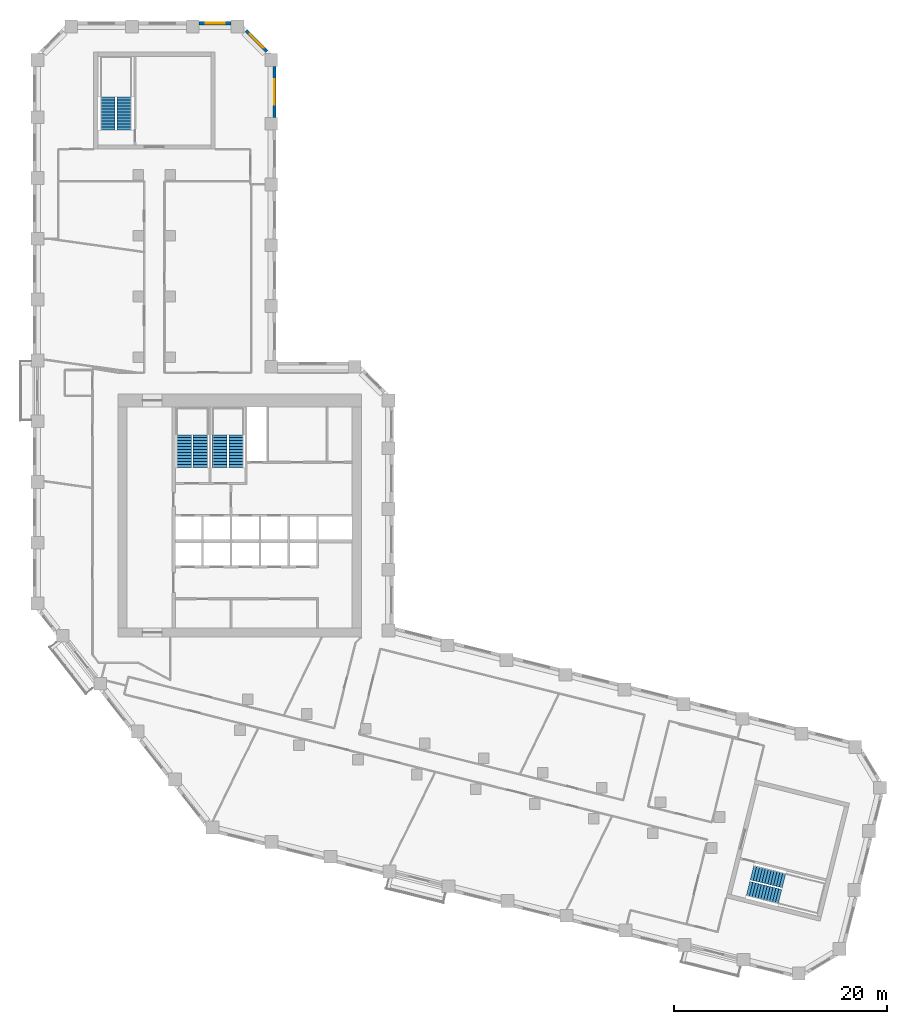
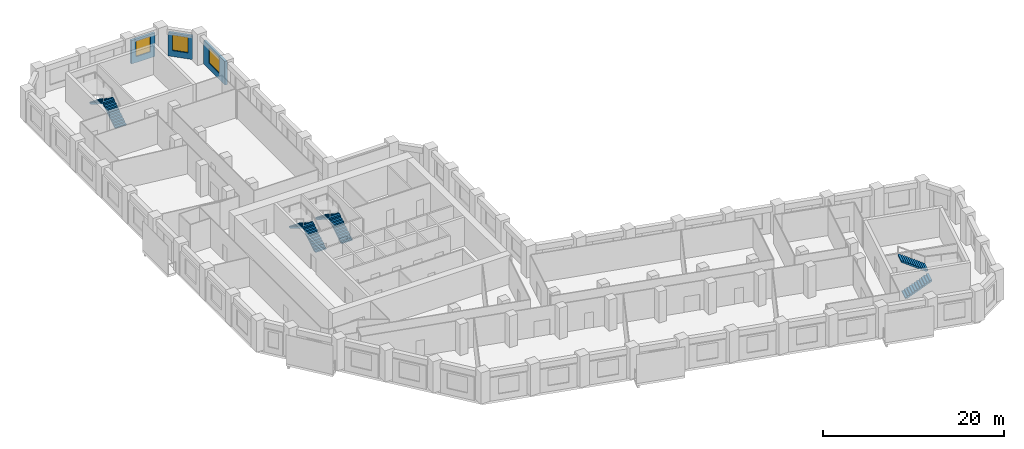
# One storey, part 9 of 10: 8 stair flights, 3 walls, 3 windows, 3 openings, 4 elements without a shape of their own.
"""IFC4 building model written with IfcOpenShell, lengths in metres."""

from ifc_helpers import new_model, si_unit, direction, frame, frame_2d, origin, place, context, subcontext, project, spatial, polyline, rectangle, outline, extrude, material, layer, layer_set, type_object, element, fill, aggregate, save


model = new_model("IFC4")

# Units and contexts
model_context = context("Model", 3, precision=1e-05, world=origin(), true_north=direction((0.0, 1.0)))
body_context = subcontext(model_context, "Body", "Model", "MODEL_VIEW")
ifc_project = project(units=[si_unit("LENGTHUNIT", "METRE"), si_unit("AREAUNIT", "SQUARE_METRE"), si_unit("VOLUMEUNIT", "CUBIC_METRE"), si_unit("PLANEANGLEUNIT", "RADIAN"), si_unit("MASSUNIT", "GRAM", prefix="KILO")], contexts=[model_context])

# Site, building, storey
site_placement = place(None, origin())
site = spatial("IfcSite", under=ifc_project, at=site_placement, CompositionType="ELEMENT")
building_placement = place(site_placement, origin())
building = spatial("IfcBuilding", under=site, at=building_placement, Name="Meshkara Civic Tower", CompositionType="ELEMENT")
storey_placement = place(building_placement, frame((0.0, 0.0, 190.800048828125)))
storey = spatial("IfcBuildingStorey", under=building, at=storey_placement, Name="L43", CompositionType="ELEMENT", Elevation=190.800048828125)

# Wall, opening, window
ifc_material_1 = material(Name="Insulated infill panel with bronze anodised aluminium cladding", Category="aluminium")
ifc_layer = layer(ifc_material_1, 0.300048828125)
ifc_layer_set = layer_set([ifc_layer], Name="EXTERNAL INFILL WALL 300")
wall_type = type_object("IfcWallType", Name="EXTERNAL INFILL WALL 300", PredefinedType="SOLIDWALL", material=ifc_layer_set)
wall_1_placement = place(storey_placement, frame((22.64990234375, 62.85009765625, 0.0), z_axis=(0.0, 0.0, 1.0), x_axis=(0.0, 1.0, 0.0)))
wall_1 = element("IfcWall", 1, at=wall_1_placement, inside=storey, type_object=wall_type, Name="External wall", PredefinedType="SOLIDWALL", context=body_context, shape_type="SweptSolid", body=[
    extrude(rectangle(XDim=4.763916015625, YDim=0.300048828125, at=frame_2d((2.3818359375, 0.0))), origin(), (0.0, 0.0, 1.0), 3.14990234375),
])
opening_1_placement = place(wall_1_placement, frame((1.181884765625, 0.0, 0.800048828125)))
opening_1 = element("IfcOpeningElement", 2, at=opening_1_placement, cuts=wall_1, Name="Opening W7", PredefinedType="OPENING", context=body_context, shape_type="SweptSolid", body=[
    extrude(rectangle(XDim=2.39990234375, YDim=2.10009765625, at=frame_2d((1.199951171875, 1.050048828125))), frame((0.0, 0.159912109375, 0.0), z_axis=(0.0, -1.0, 0.0), x_axis=(1.0, 0.0, 0.0)), (0.0, 0.0, 1.0), 0.320068359375),
])
ifc_material_2 = material(Name="Tinted double glazing", Category="glass")
window_type_1 = type_object("IfcWindowType", Name="WINDOW 2400x2100", PartitioningType="DOUBLE_PANEL_VERTICAL", PredefinedType="WINDOW", material=ifc_material_2)
window_1_placement = place(opening_1_placement, origin())
window_1 = element("IfcWindow", 3, at=window_1_placement, inside=storey, type_object=window_type_1, Name="Window", OverallHeight=2.10009765625, OverallWidth=2.39990234375, PartitioningType="DOUBLE_PANEL_VERTICAL", PredefinedType="WINDOW", context=body_context, shape_type="SweptSolid", body=[
    extrude(rectangle(XDim=2.39990234375, YDim=2.10009765625, at=frame_2d((1.199951171875, 1.050048828125))), frame((0.0, 0.030029296875, 0.0), z_axis=(0.0, -1.0, 0.0), x_axis=(1.0, 0.0, 0.0)), (0.0, 0.0, 1.0), 0.06005859375),
])
fill(opening_1, window_1)

wall_2_placement = place(storey_placement, frame((21.9619140625, 69.02587890625, 0.0), z_axis=(0.0, 0.0, 1.0), x_axis=(-0.707062649074, 0.707150910545, 0.0)))
wall_2 = element("IfcWall", 4, at=wall_2_placement, inside=storey, type_object=wall_type, Name="External wall", PredefinedType="SOLIDWALL", context=body_context, shape_type="SweptSolid", body=[
    extrude(rectangle(XDim=2.76611328125, YDim=0.300048828125, at=frame_2d((1.383056640625, 0.0))), origin(), (0.0, 0.0, 1.0), 3.14990234375),
])
opening_2_placement = place(wall_2_placement, frame((0.48291015625, 0.0, 0.800048828125)))
opening_2 = element("IfcOpeningElement", 5, at=opening_2_placement, cuts=wall_2, Name="Opening W9", PredefinedType="OPENING", context=body_context, shape_type="SweptSolid", body=[
    extrude(rectangle(XDim=1.800048828125, YDim=2.10009765625, at=frame_2d((0.89990234375, 1.050048828125))), frame((0.0, 0.159912109375, 0.0), z_axis=(0.0, -1.0, 0.0), x_axis=(1.0, 0.0, 0.0)), (0.0, 0.0, 1.0), 0.320068359375),
])
ifc_material_3 = material(Name="Tinted double glazing", Category="glass")
window_type_2 = type_object("IfcWindowType", Name="WINDOW 1800x2100", PartitioningType="DOUBLE_PANEL_VERTICAL", PredefinedType="WINDOW", material=ifc_material_3)
window_2_placement = place(opening_2_placement, origin())
window_2 = element("IfcWindow", 6, at=window_2_placement, inside=storey, type_object=window_type_2, Name="Window", OverallHeight=2.10009765625, OverallWidth=1.800048828125, PartitioningType="DOUBLE_PANEL_VERTICAL", PredefinedType="WINDOW", context=body_context, shape_type="SweptSolid", body=[
    extrude(rectangle(XDim=1.800048828125, YDim=2.10009765625, at=frame_2d((0.89990234375, 1.050048828125))), frame((0.0, 0.030029296875, 0.0), z_axis=(0.0, -1.0, 0.0), x_axis=(1.0, 0.0, 0.0)), (0.0, 0.0, 1.0), 0.06005859375),
])
fill(opening_2, window_2)

wall_3_placement = place(storey_placement, frame((18.593994140625, 71.669921875, 0.0), z_axis=(0.0, 0.0, 1.0), x_axis=(-1.0, 0.0, 0.0)))
wall_3 = element("IfcWall", 7, at=wall_3_placement, inside=storey, type_object=wall_type, Name="External wall", PredefinedType="SOLIDWALL", context=body_context, shape_type="SweptSolid", body=[
    extrude(rectangle(XDim=2.988037109375, YDim=0.300048828125, at=frame_2d((1.494140625, 0.0))), origin(), (0.0, 0.0, 1.0), 3.14990234375),
])
opening_3_placement = place(wall_3_placement, frame((0.593994140625, 0.0, 0.800048828125)))
opening_3 = element("IfcOpeningElement", 8, at=opening_3_placement, cuts=wall_3, Name="Opening W9", PredefinedType="OPENING", context=body_context, shape_type="SweptSolid", body=[
    extrude(rectangle(XDim=1.800048828125, YDim=2.10009765625, at=frame_2d((0.89990234375, 1.050048828125))), frame((0.0, 0.159912109375, 0.0), z_axis=(0.0, -1.0, 0.0), x_axis=(1.0, 0.0, 0.0)), (0.0, 0.0, 1.0), 0.320068359375),
])
window_3_placement = place(opening_3_placement, origin())
window_3 = element("IfcWindow", 9, at=window_3_placement, inside=storey, type_object=window_type_2, Name="Window", OverallHeight=2.10009765625, OverallWidth=1.800048828125, PartitioningType="DOUBLE_PANEL_VERTICAL", PredefinedType="WINDOW", context=body_context, shape_type="SweptSolid", body=[
    extrude(rectangle(XDim=1.800048828125, YDim=2.10009765625, at=frame_2d((0.89990234375, 1.050048828125))), frame((0.0, 0.030029296875, 0.0), z_axis=(0.0, -1.0, 0.0), x_axis=(1.0, 0.0, 0.0)), (0.0, 0.0, 1.0), 0.06005859375),
])
fill(opening_3, window_3)

# Stair, stair flights
ifc_material_4 = material(Name="Precast concrete C40/50", Category="concrete")
stair_type = type_object("IfcStairType", Name="Exit stair half-turn 24 risers precast", PredefinedType="HALF_TURN_STAIR", material=ifc_material_4)
stair_1_placement = place(storey_placement, origin())
stair_1 = element("IfcStair", 10, at=stair_1_placement, inside=storey, type_object=stair_type, Name="L43 exit stair 1", PredefinedType="HALF_TURN_STAIR")
ifc_material_5 = material(Name="Precast concrete C40/50", Category="concrete")
stair_flight_type = type_object("IfcStairFlightType", Name="Exit stair flight 12 risers precast", PredefinedType="STRAIGHT", material=ifc_material_5)
stair_flight_1_placement = place(storey_placement, frame((15.72509765625, 30.0, 0.0), z_axis=(0.0, 0.0, 1.0), x_axis=(0.0, 1.0, 0.0)))
stair_flight_1 = element("IfcStairFlight", 11, at=stair_flight_1_placement, type_object=stair_flight_type, Name="ST1 flight 1", NumberOfRisers=12, NumberOfTreads=11, PredefinedType="STRAIGHT", RiserHeight=0.175, TreadLength=0.28, context=body_context, shape_type="SweptSolid", body=[
    extrude(outline(polyline([(0.0, 0.0), (0.0, 0.175048828125), (0.280029296875, 0.175048828125), (0.280029296875, 0.35009765625), (0.56005859375, 0.35009765625), (0.56005859375, 0.52490234375), (0.840087890625, 0.52490234375), (0.840087890625, 0.699951171875), (1.1201171875, 0.699951171875), (1.1201171875, 0.875), (1.39990234375, 0.875), (1.39990234375, 1.050048828125), (1.679931640625, 1.050048828125), (1.679931640625, 1.22509765625), (1.9599609375, 1.22509765625), (1.9599609375, 1.39990234375), (2.239990234375, 1.39990234375), (2.239990234375, 1.574951171875), (2.52001953125, 1.574951171875), (2.52001953125, 1.75), (2.800048828125, 1.75), (2.800048828125, 1.925048828125), (3.080078125, 1.925048828125), (3.080078125, 2.10009765625), (3.080078125, 1.748291015625), (0.28271484375, 0.0), (0.0, 0.0)])), frame((0.0, 0.699951171875, 0.0), z_axis=(0.0, -1.0, 0.0), x_axis=(1.0, 0.0, 0.0)), (0.0, 0.0, 1.0), 1.39990234375),
])
stair_flight_2_placement = place(storey_placement, frame((14.175048828125, 33.080078125, 2.099853515625), z_axis=(0.0, 0.0, 1.0), x_axis=(0.0, -1.0, 0.0)))
stair_flight_2 = element("IfcStairFlight", 12, at=stair_flight_2_placement, type_object=stair_flight_type, Name="ST1 flight 2", NumberOfRisers=12, NumberOfTreads=11, PredefinedType="STRAIGHT", RiserHeight=0.175, TreadLength=0.28, context=body_context, shape_type="SweptSolid", body=[
    extrude(outline(polyline([(0.0, 0.0), (0.0, 0.175048828125), (0.280029296875, 0.175048828125), (0.280029296875, 0.35009765625), (0.56005859375, 0.35009765625), (0.56005859375, 0.52490234375), (0.840087890625, 0.52490234375), (0.840087890625, 0.699951171875), (1.1201171875, 0.699951171875), (1.1201171875, 0.875), (1.39990234375, 0.875), (1.39990234375, 1.050048828125), (1.679931640625, 1.050048828125), (1.679931640625, 1.22509765625), (1.9599609375, 1.22509765625), (1.9599609375, 1.39990234375), (2.239990234375, 1.39990234375), (2.239990234375, 1.574951171875), (2.52001953125, 1.574951171875), (2.52001953125, 1.75), (2.800048828125, 1.75), (2.800048828125, 1.925048828125), (3.080078125, 1.925048828125), (3.080078125, 2.10009765625), (3.080078125, 1.748291015625), (0.28271484375, 0.0), (0.0, 0.0)])), frame((0.0, 0.699951171875, 0.0), z_axis=(0.0, -1.0, 0.0), x_axis=(1.0, 0.0, 0.0)), (0.0, 0.0, 1.0), 1.39990234375),
])
aggregate(stair_1, [stair_flight_1, stair_flight_2])

stair_2_placement = place(storey_placement, origin())
stair_2 = element("IfcStair", 13, at=stair_2_placement, inside=storey, type_object=stair_type, Name="L43 exit stair 2", PredefinedType="HALF_TURN_STAIR")
stair_flight_3_placement = place(storey_placement, frame((19.074951171875, 30.0, 0.0), z_axis=(0.0, 0.0, 1.0), x_axis=(0.0, 1.0, 0.0)))
stair_flight_3 = element("IfcStairFlight", 14, at=stair_flight_3_placement, type_object=stair_flight_type, Name="ST2 flight 1", NumberOfRisers=12, NumberOfTreads=11, PredefinedType="STRAIGHT", RiserHeight=0.175, TreadLength=0.28, context=body_context, shape_type="SweptSolid", body=[
    extrude(outline(polyline([(0.0, 0.0), (0.0, 0.175048828125), (0.280029296875, 0.175048828125), (0.280029296875, 0.35009765625), (0.56005859375, 0.35009765625), (0.56005859375, 0.52490234375), (0.840087890625, 0.52490234375), (0.840087890625, 0.699951171875), (1.1201171875, 0.699951171875), (1.1201171875, 0.875), (1.39990234375, 0.875), (1.39990234375, 1.050048828125), (1.679931640625, 1.050048828125), (1.679931640625, 1.22509765625), (1.9599609375, 1.22509765625), (1.9599609375, 1.39990234375), (2.239990234375, 1.39990234375), (2.239990234375, 1.574951171875), (2.52001953125, 1.574951171875), (2.52001953125, 1.75), (2.800048828125, 1.75), (2.800048828125, 1.925048828125), (3.080078125, 1.925048828125), (3.080078125, 2.10009765625), (3.080078125, 1.748291015625), (0.28271484375, 0.0), (0.0, 0.0)])), frame((0.0, 0.699951171875, 0.0), z_axis=(0.0, -1.0, 0.0), x_axis=(1.0, 0.0, 0.0)), (0.0, 0.0, 1.0), 1.39990234375),
])
stair_flight_4_placement = place(storey_placement, frame((17.52490234375, 33.080078125, 2.099853515625), z_axis=(0.0, 0.0, 1.0), x_axis=(0.0, -1.0, 0.0)))
stair_flight_4 = element("IfcStairFlight", 15, at=stair_flight_4_placement, type_object=stair_flight_type, Name="ST2 flight 2", NumberOfRisers=12, NumberOfTreads=11, PredefinedType="STRAIGHT", RiserHeight=0.175, TreadLength=0.28, context=body_context, shape_type="SweptSolid", body=[
    extrude(outline(polyline([(0.0, 0.0), (0.0, 0.175048828125), (0.280029296875, 0.175048828125), (0.280029296875, 0.35009765625), (0.56005859375, 0.35009765625), (0.56005859375, 0.52490234375), (0.840087890625, 0.52490234375), (0.840087890625, 0.699951171875), (1.1201171875, 0.699951171875), (1.1201171875, 0.875), (1.39990234375, 0.875), (1.39990234375, 1.050048828125), (1.679931640625, 1.050048828125), (1.679931640625, 1.22509765625), (1.9599609375, 1.22509765625), (1.9599609375, 1.39990234375), (2.239990234375, 1.39990234375), (2.239990234375, 1.574951171875), (2.52001953125, 1.574951171875), (2.52001953125, 1.75), (2.800048828125, 1.75), (2.800048828125, 1.925048828125), (3.080078125, 1.925048828125), (3.080078125, 2.10009765625), (3.080078125, 1.748291015625), (0.28271484375, 0.0), (0.0, 0.0)])), frame((0.0, 0.699951171875, 0.0), z_axis=(0.0, -1.0, 0.0), x_axis=(1.0, 0.0, 0.0)), (0.0, 0.0, 1.0), 1.39990234375),
])
aggregate(stair_2, [stair_flight_3, stair_flight_4])

stair_3_placement = place(storey_placement, origin())
stair_3 = element("IfcStair", 16, at=stair_3_placement, inside=storey, type_object=stair_type, Name="L43 exit stair A from L35", PredefinedType="HALF_TURN_STAIR")
stair_flight_5_placement = place(storey_placement, frame((8.574951171875, 61.669921875, 0.0), z_axis=(0.0, 0.0, 1.0), x_axis=(0.0, 1.0, 0.0)))
stair_flight_5 = element("IfcStairFlight", 17, at=stair_flight_5_placement, type_object=stair_flight_type, Name="ESA3 flight 1", NumberOfRisers=12, NumberOfTreads=11, PredefinedType="STRAIGHT", RiserHeight=0.175, TreadLength=0.28, context=body_context, shape_type="SweptSolid", body=[
    extrude(outline(polyline([(0.0, 0.0), (0.0, 0.175048828125), (0.280029296875, 0.175048828125), (0.280029296875, 0.35009765625), (0.56005859375, 0.35009765625), (0.56005859375, 0.52490234375), (0.840087890625, 0.52490234375), (0.840087890625, 0.699951171875), (1.1201171875, 0.699951171875), (1.1201171875, 0.875), (1.39990234375, 0.875), (1.39990234375, 1.050048828125), (1.679931640625, 1.050048828125), (1.679931640625, 1.22509765625), (1.9599609375, 1.22509765625), (1.9599609375, 1.39990234375), (2.239990234375, 1.39990234375), (2.239990234375, 1.574951171875), (2.52001953125, 1.574951171875), (2.52001953125, 1.75), (2.800048828125, 1.75), (2.800048828125, 1.925048828125), (3.080078125, 1.925048828125), (3.080078125, 2.10009765625), (3.080078125, 1.748291015625), (0.28271484375, 0.0), (0.0, 0.0)])), frame((0.0, 0.699951171875, 0.0), z_axis=(0.0, -1.0, 0.0), x_axis=(1.0, 0.0, 0.0)), (0.0, 0.0, 1.0), 1.39990234375),
])
stair_flight_6_placement = place(storey_placement, frame((7.02490234375, 64.75, 2.099853515625), z_axis=(0.0, 0.0, 1.0), x_axis=(0.0, -1.0, 0.0)))
stair_flight_6 = element("IfcStairFlight", 18, at=stair_flight_6_placement, type_object=stair_flight_type, Name="ESA3 flight 2", NumberOfRisers=12, NumberOfTreads=11, PredefinedType="STRAIGHT", RiserHeight=0.175, TreadLength=0.28, context=body_context, shape_type="SweptSolid", body=[
    extrude(outline(polyline([(0.0, 0.0), (0.0, 0.175048828125), (0.280029296875, 0.175048828125), (0.280029296875, 0.35009765625), (0.56005859375, 0.35009765625), (0.56005859375, 0.52490234375), (0.840087890625, 0.52490234375), (0.840087890625, 0.699951171875), (1.1201171875, 0.699951171875), (1.1201171875, 0.875), (1.39990234375, 0.875), (1.39990234375, 1.050048828125), (1.679931640625, 1.050048828125), (1.679931640625, 1.22509765625), (1.9599609375, 1.22509765625), (1.9599609375, 1.39990234375), (2.239990234375, 1.39990234375), (2.239990234375, 1.574951171875), (2.52001953125, 1.574951171875), (2.52001953125, 1.75), (2.800048828125, 1.75), (2.800048828125, 1.925048828125), (3.080078125, 1.925048828125), (3.080078125, 2.10009765625), (3.080078125, 1.748291015625), (0.28271484375, 0.0), (0.0, 0.0)])), frame((0.0, 0.699951171875, 0.0), z_axis=(0.0, -1.0, 0.0), x_axis=(1.0, 0.0, 0.0)), (0.0, 0.0, 1.0), 1.39990234375),
])
aggregate(stair_3, [stair_flight_5, stair_flight_6])

stair_4_placement = place(storey_placement, origin())
stair_4 = element("IfcStair", 19, at=stair_4_placement, inside=storey, type_object=stair_type, Name="L43 exit stair B from L35", PredefinedType="HALF_TURN_STAIR")
stair_flight_7_placement = place(storey_placement, frame((67.068115234375, -9.4814453125, 0.0), z_axis=(0.0, 0.0, 1.0), x_axis=(0.9703185901, -0.241830175344, 0.0)))
stair_flight_7 = element("IfcStairFlight", 20, at=stair_flight_7_placement, type_object=stair_flight_type, Name="ESB3 flight 1", NumberOfRisers=12, NumberOfTreads=11, PredefinedType="STRAIGHT", RiserHeight=0.175, TreadLength=0.28, context=body_context, shape_type="SweptSolid", body=[
    extrude(outline(polyline([(0.0, 0.0), (0.0, 0.175048828125), (0.280029296875, 0.175048828125), (0.280029296875, 0.35009765625), (0.56005859375, 0.35009765625), (0.56005859375, 0.52490234375), (0.840087890625, 0.52490234375), (0.840087890625, 0.699951171875), (1.1201171875, 0.699951171875), (1.1201171875, 0.875), (1.39990234375, 0.875), (1.39990234375, 1.050048828125), (1.679931640625, 1.050048828125), (1.679931640625, 1.22509765625), (1.9599609375, 1.22509765625), (1.9599609375, 1.39990234375), (2.239990234375, 1.39990234375), (2.239990234375, 1.574951171875), (2.52001953125, 1.574951171875), (2.52001953125, 1.75), (2.800048828125, 1.75), (2.800048828125, 1.925048828125), (3.080078125, 1.925048828125), (3.080078125, 2.10009765625), (3.080078125, 1.748291015625), (0.28271484375, 0.0), (0.0, 0.0)])), frame((0.0, 0.699951171875, 0.0), z_axis=(0.0, -1.0, 0.0), x_axis=(1.0, 0.0, 0.0)), (0.0, 0.0, 1.0), 1.39990234375),
])
stair_flight_8_placement = place(storey_placement, frame((70.431396484375, -8.722412109375, 2.099853515625), z_axis=(0.0, 0.0, 1.0), x_axis=(-0.9703185901, 0.241830175344, 0.0)))
stair_flight_8 = element("IfcStairFlight", 21, at=stair_flight_8_placement, type_object=stair_flight_type, Name="ESB3 flight 2", NumberOfRisers=12, NumberOfTreads=11, PredefinedType="STRAIGHT", RiserHeight=0.175, TreadLength=0.28, context=body_context, shape_type="SweptSolid", body=[
    extrude(outline(polyline([(0.0, 0.0), (0.0, 0.175048828125), (0.280029296875, 0.175048828125), (0.280029296875, 0.35009765625), (0.56005859375, 0.35009765625), (0.56005859375, 0.52490234375), (0.840087890625, 0.52490234375), (0.840087890625, 0.699951171875), (1.1201171875, 0.699951171875), (1.1201171875, 0.875), (1.39990234375, 0.875), (1.39990234375, 1.050048828125), (1.679931640625, 1.050048828125), (1.679931640625, 1.22509765625), (1.9599609375, 1.22509765625), (1.9599609375, 1.39990234375), (2.239990234375, 1.39990234375), (2.239990234375, 1.574951171875), (2.52001953125, 1.574951171875), (2.52001953125, 1.75), (2.800048828125, 1.75), (2.800048828125, 1.925048828125), (3.080078125, 1.925048828125), (3.080078125, 2.10009765625), (3.080078125, 1.748291015625), (0.28271484375, 0.0), (0.0, 0.0)])), frame((0.0, 0.699951171875, 0.0), z_axis=(0.0, -1.0, 0.0), x_axis=(1.0, 0.0, 0.0)), (0.0, 0.0, 1.0), 1.39990234375),
])
aggregate(stair_4, [stair_flight_7, stair_flight_8])

save(model, "model.ifc")
